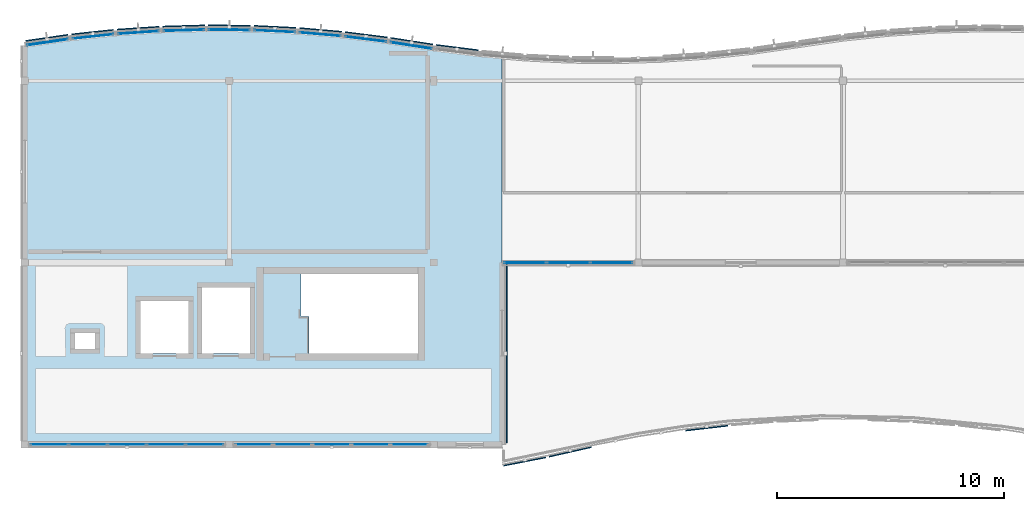
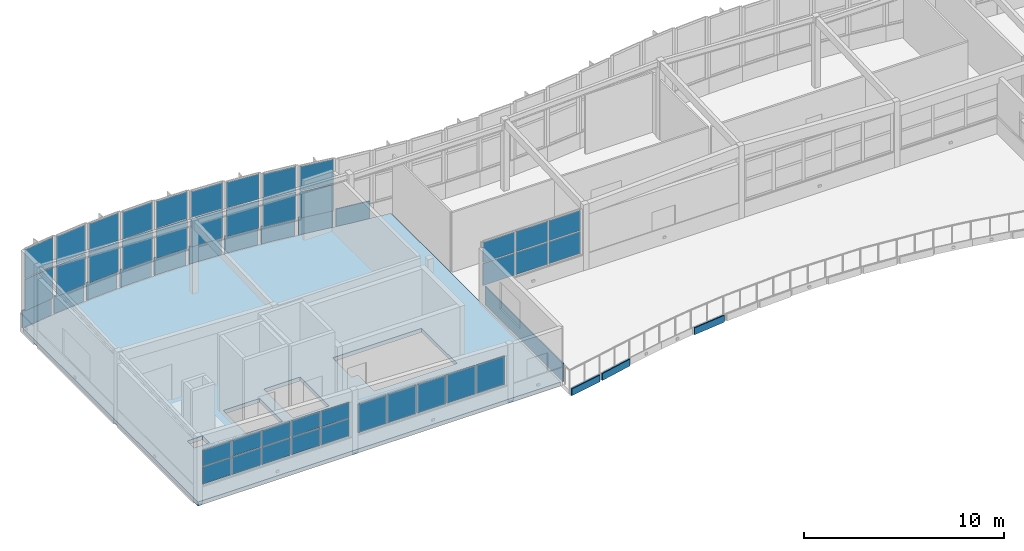
# One storey, part 10 of 20: 53 plates, 1 slab, 12 elements without a shape of their own.
"""IFC4 building model written with IfcOpenShell, lengths in metres."""

import ifcopenshell
import ifcopenshell.guid

model = None  # the IFC model being written
_history = None  # IfcOwnerHistory: only IFC2X3 demands one
_inside = {}  # id of a spatial element -> (the spatial element, [elements in it])
_under = {}  # id of a project, library or spatial element -> (it, [spatial elements below it])
_declared = {}  # id of a project -> (the project, [libraries it declares])
_typed = {}  # id of a type object -> (the type object, [elements of that type])
_made_of = {}  # id of a material, layer set ... -> (it, [elements and type objects made of it])


def new_model(schema):
    """Start an empty IFC model of exactly this schema.

    Asked for "IFC4X3", IfcOpenShell would pick the latest addendum, in which some entities
    have other attributes; the version numbers below select the first issue.
    IFC2X3 requires an IfcOwnerHistory on every rooted entity: one is made here for all.
    """
    global model, _history
    if schema == "IFC4X3":
        model = ifcopenshell.file(schema_version=(4, 3, 0, 0))
    else:
        model = ifcopenshell.file(schema=schema)
    _inside.clear()
    _under.clear()
    _declared.clear()
    _typed.clear()
    _made_of.clear()
    _history = None
    if model.schema == "IFC2X3":
        org = make("IfcOrganization", Name="unknown")
        user = make(
            "IfcPersonAndOrganization",
            ThePerson=make("IfcPerson", FamilyName="unknown"),
            TheOrganization=org,
        )
        app = make(
            "IfcApplication",
            ApplicationDeveloper=org,
            Version="unknown",
            ApplicationFullName="unknown",
            ApplicationIdentifier="unknown",
        )
        _history = make(
            "IfcOwnerHistory",
            OwningUser=user,
            OwningApplication=app,
            ChangeAction="ADDED",
            CreationDate=0,
        )
    return model


def make(cls, **values):
    """One entity of the class cls with the attributes given. An attribute that is None is left unset."""
    return model.create_entity(
        cls, **{name: value for name, value in values.items() if value is not None}
    )


def rooted(cls, **values):
    """An entity with a GlobalId (a new one), such as an element, a storey or a relation."""
    return make(cls, GlobalId=ifcopenshell.guid.new(), OwnerHistory=_history, **values)


def si_unit(unit_type, name, prefix=None):
    """IfcSIUnit, for example si_unit("LENGTHUNIT", "METRE", prefix="MILLI")."""
    return make("IfcSIUnit", UnitType=unit_type, Prefix=prefix, Name=name)


def assignment(units):
    """IfcUnitAssignment: the units of a project."""
    return None if units is None else make("IfcUnitAssignment", Units=units)


def point(xyz):
    """IfcCartesianPoint."""
    return None if xyz is None else make("IfcCartesianPoint", Coordinates=xyz)


def direction(xyz):
    """IfcDirection."""
    return None if xyz is None else make("IfcDirection", DirectionRatios=xyz)


def frame(location, z_axis=None, x_axis=None):
    """IfcAxis2Placement3D, a coordinate frame: its origin and axes. An axis left out is left unset."""
    return make(
        "IfcAxis2Placement3D",
        Location=point(location),
        Axis=direction(z_axis),
        RefDirection=direction(x_axis),
    )


def frame_2d(location, x_axis=None):
    """IfcAxis2Placement2D, a coordinate frame in the plane: its origin and x axis."""
    return make(
        "IfcAxis2Placement2D", Location=point(location), RefDirection=direction(x_axis)
    )


def origin():
    """The frame at (0, 0, 0) with its axes left unset."""
    return frame((0.0, 0.0, 0.0))


def origin_2d():
    """The frame at (0, 0) in the plane with its x axis left unset."""
    return frame_2d((0.0, 0.0))


def place(relative_to, where):
    """IfcLocalPlacement: puts the frame where relative to a parent placement (None: the world)."""
    return make(
        "IfcLocalPlacement", PlacementRelTo=relative_to, RelativePlacement=where
    )


def context(
    kind, dimensions, precision=None, world=None, true_north=None, identifier=None
):
    """IfcGeometricRepresentationContext, for example the 3D "Model" context."""
    return make(
        "IfcGeometricRepresentationContext",
        ContextIdentifier=identifier,
        ContextType=kind,
        CoordinateSpaceDimension=dimensions,
        Precision=precision,
        WorldCoordinateSystem=world,
        TrueNorth=true_north,
    )


def subcontext(parent, identifier, kind, view, scale=None):
    """IfcGeometricRepresentationSubContext, for example "Body" below "Model"."""
    return make(
        "IfcGeometricRepresentationSubContext",
        ContextIdentifier=identifier,
        ContextType=kind,
        ParentContext=parent,
        TargetScale=scale,
        TargetView=view,
    )


def project(units=None, contexts=None):
    """IfcProject with its units and contexts."""
    return rooted(
        "IfcProject",
        Name="project",
        RepresentationContexts=contexts,
        UnitsInContext=assignment(units),
    )


def spatial(cls, under=None, at=None, **own):
    """A site, building, storey or space (cls), placed at a placement, below another one or the project."""
    s = rooted(cls, ObjectPlacement=at, **own)
    if under is not None:
        _under.setdefault(under.id(), (under, []))[1].append(s)
    return s


def polyline(points):
    """IfcPolyline through the points."""
    return make("IfcPolyline", Points=[point(p) for p in points])


def profile(cls, at=None, kind="AREA", **sizes):
    """A parametric profile (cls). Its sizes go by their IFC names, for example OverallWidth=200.0."""
    return make(cls, ProfileType=kind, Position=at, **sizes)


def rectangle(**sizes):
    """IfcRectangleProfileDef."""
    return profile("IfcRectangleProfileDef", **sizes)


def outline(outer, holes=None, kind="AREA"):
    """IfcArbitraryClosedProfileDef: a profile drawn as a closed curve; with holes, ...WithVoids."""
    if holes is None:
        return make("IfcArbitraryClosedProfileDef", ProfileType=kind, OuterCurve=outer)
    return make(
        "IfcArbitraryProfileDefWithVoids",
        ProfileType=kind,
        OuterCurve=outer,
        InnerCurves=holes,
    )


def extrude(swept, where, along, depth):
    """IfcExtrudedAreaSolid: the profile swept, set in the frame where, extruded along a direction by depth."""
    return make(
        "IfcExtrudedAreaSolid",
        SweptArea=swept,
        Position=where,
        ExtrudedDirection=direction(along),
        Depth=depth,
    )


def shape(context_of_items, identifier, shape_type, items):
    """IfcShapeRepresentation: the items that make up one representation, for example the "Body"."""
    return make(
        "IfcShapeRepresentation",
        ContextOfItems=context_of_items,
        RepresentationIdentifier=identifier,
        RepresentationType=shape_type,
        Items=items,
    )


def material(Name=None, Category=None):
    """IfcMaterial."""
    return make("IfcMaterial", Name=Name, Category=Category)


def layer(
    of_material, thickness, ventilated=None, Name=None, Category=None, Priority=None
):
    """IfcMaterialLayer: one layer of a wall or slab, of a material (None: an air gap)."""
    return make(
        "IfcMaterialLayer",
        Material=of_material,
        LayerThickness=thickness,
        IsVentilated=ventilated,
        Name=Name,
        Category=Category,
        Priority=Priority,
    )


def layer_set(layers, Name=None):
    """IfcMaterialLayerSet."""
    return make("IfcMaterialLayerSet", MaterialLayers=layers, LayerSetName=Name)


def made_of(thing, what):
    """Note that an element or type object is made of a material, layer set ...; save() writes the relation."""
    if what is not None:
        _made_of.setdefault(what.id(), (what, []))[1].append(thing)
    return thing


def type_object(cls, material=None, **own):
    """A type object (cls), such as IfcWallType, which elements share."""
    return made_of(rooted(cls, **own), material)


def element(
    cls,
    number,
    at=None,
    inside=None,
    cuts=None,
    type_object=None,
    material=None,
    context=None,
    identifier="Body",
    shape_type=None,
    held_by="IfcProductDefinitionShape",
    body=None,
    shapes=None,
    **own,
):
    """One element of the class cls, such as IfcWall. Its Tag is "e" and its number.

    at: its placement. inside: the storey or other place that contains it. cuts: it is an
    opening in that element (IfcRelVoidsElement). A single representation is given by context,
    identifier, shape_type and body (its items); several are given by shapes. held_by: the class
    of the entity that holds the representations. save() writes the other relations.
    """
    e = rooted(cls, Tag="e%d" % number, ObjectPlacement=at, **own)
    if body is not None:
        shapes = [shape(context, identifier, shape_type, body)]
    if shapes is not None:
        e.Representation = make(held_by, Representations=shapes)
    if inside is not None:
        _inside.setdefault(inside.id(), (inside, []))[1].append(e)
    if cuts is not None:
        rooted(
            "IfcRelVoidsElement", RelatingBuildingElement=cuts, RelatedOpeningElement=e
        )
    if type_object is not None:
        _typed.setdefault(type_object.id(), (type_object, []))[1].append(e)
    return made_of(e, material)


def aggregate(whole, parts):
    """IfcRelAggregates: a whole, such as a stair, and the parts it consists of."""
    return rooted("IfcRelAggregates", RelatingObject=whole, RelatedObjects=parts)


def save(model, path):
    """Write the relations noted so far, then the file.

    IfcRelAggregates (storeys below a building ...), IfcRelContainedInSpatialStructure (elements
    in a storey), IfcRelDefinesByType, IfcRelAssociatesMaterial and IfcRelDeclares: one each for
    every whole, place, type object, material and project.
    """
    for whole, parts in _under.values():
        aggregate(whole, parts)
    for where, things in _inside.values():
        rooted(
            "IfcRelContainedInSpatialStructure",
            RelatedElements=things,
            RelatingStructure=where,
        )
    for kind, things in _typed.values():
        rooted("IfcRelDefinesByType", RelatedObjects=things, RelatingType=kind)
    for what, things in _made_of.values():
        rooted("IfcRelAssociatesMaterial", RelatedObjects=things, RelatingMaterial=what)
    for by, libraries in _declared.values():
        rooted("IfcRelDeclares", RelatingContext=by, RelatedDefinitions=libraries)
    model.write(path)


model = new_model("IFC4")

# Units and contexts
model_context = context("Model", 3, precision=1e-05, world=origin(), true_north=direction((0.0, 1.0)))
body_context = subcontext(model_context, "Body", "Model", "MODEL_VIEW")
ifc_project = project(units=[si_unit("LENGTHUNIT", "METRE"), si_unit("AREAUNIT", "SQUARE_METRE"), si_unit("VOLUMEUNIT", "CUBIC_METRE"), si_unit("PLANEANGLEUNIT", "RADIAN"), si_unit("MASSUNIT", "GRAM", prefix="KILO")], contexts=[model_context])

# Site, building, storey
site_placement = place(None, origin())
site = spatial("IfcSite", under=ifc_project, at=site_placement, CompositionType="ELEMENT")
building_placement = place(site_placement, origin())
building = spatial("IfcBuilding", under=site, at=building_placement, Name="Tonlespit Floodbar School", CompositionType="ELEMENT")
storey_placement = place(building_placement, frame((0.0, 0.0, 20.10009765625)))
storey = spatial("IfcBuildingStorey", under=building, at=storey_placement, Name="L05", CompositionType="ELEMENT", Elevation=20.10009765625)

# Curtain wall, plates
ifc_material_1 = material(Name="Anodised Aluminium", Category="aluminium")
ifc_layer_1 = layer(ifc_material_1, 0.159912109375)
ifc_layer_set_1 = layer_set([ifc_layer_1], Name="Anodised Aluminium")
curtain_wall_type_1 = type_object("IfcCurtainWallType", Name="CurtainWall_1950x3800", PredefinedType="NOTDEFINED", material=ifc_layer_set_1)
curtain_wall_1_placement = place(storey_placement, origin())
curtain_wall_1 = element("IfcCurtainWall", 1, at=curtain_wall_1_placement, inside=storey, type_object=curtain_wall_type_1, Name="L05 unitised curtain wall 0209", PredefinedType="NOTDEFINED")
ifc_material_2 = material(Name="Laminated Low-E Glass", Category="glass")
ifc_layer_2 = layer(ifc_material_2, 0.028076171875)
ifc_layer_set_2 = layer_set([ifc_layer_2], Name="Laminated Low-E Glass")
plate_type_1 = type_object("IfcPlateType", Name="CW_Panel_Glaz_28", PredefinedType="CURTAIN_PANEL", material=ifc_layer_set_2)
plate_1_placement = place(storey_placement, frame((47.0, 121.947998046875, 1.014892578125), z_axis=(0.0, 0.0, 1.0), x_axis=(0.994388797288, 0.105787143968, 0.0)))
plate_1 = element("IfcPlate", 2, at=plate_1_placement, type_object=plate_type_1, Name="CW-10 panel 1.1", PredefinedType="CURTAIN_PANEL", context=body_context, shape_type="SweptSolid", body=[
    extrude(rectangle(XDim=1.80126953125, YDim=0.028076171875, at=origin_2d()), origin(), (0.0, 0.0, 1.0), 1.88330078125),
])
plate_2_placement = place(storey_placement, frame((47.0, 121.947998046875, 2.96337890625), z_axis=(0.0, 0.0, 1.0), x_axis=(0.994388797288, 0.105787143968, 0.0)))
plate_2 = element("IfcPlate", 3, at=plate_2_placement, type_object=plate_type_1, Name="CW-10 panel 1.2", PredefinedType="CURTAIN_PANEL", context=body_context, shape_type="SweptSolid", body=[
    extrude(rectangle(XDim=1.80126953125, YDim=0.028076171875, at=origin_2d()), origin(), (0.0, 0.0, 1.0), 1.730712890625),
])
aggregate(curtain_wall_1, [plate_1, plate_2])

ifc_layer_3 = layer(ifc_material_1, 0.159912109375)
ifc_layer_set_3 = layer_set([ifc_layer_3], Name="Anodised Aluminium")
curtain_wall_type_2 = type_object("IfcCurtainWallType", Name="CurtainWall_1900x3550", PredefinedType="NOTDEFINED", material=ifc_layer_set_3)
curtain_wall_2_placement = place(storey_placement, origin())
curtain_wall_2 = element("IfcCurtainWall", 4, at=curtain_wall_2_placement, inside=storey, type_object=curtain_wall_type_2, Name="L05 unitised curtain wall 0213", PredefinedType="NOTDEFINED")
plate_3_placement = place(storey_placement, frame((55.0, 122.1796875, 1.01513671875), z_axis=(0.0, 0.0, 1.0), x_axis=(0.998841500616, -0.048121270216, 0.0)))
plate_3 = element("IfcPlate", 5, at=plate_3_placement, type_object=plate_type_1, Name="CW-14 panel 1.1", PredefinedType="CURTAIN_PANEL", context=body_context, shape_type="SweptSolid", body=[
    extrude(rectangle(XDim=1.792236328125, YDim=0.028076171875, at=origin_2d()), origin(), (0.0, 0.0, 1.0), 1.736083984375),
])
plate_4_placement = place(storey_placement, frame((55.0, 122.1796875, 2.81591796875), z_axis=(0.0, 0.0, 1.0), x_axis=(0.998841500616, -0.048121270216, 0.0)))
plate_4 = element("IfcPlate", 6, at=plate_4_placement, type_object=plate_type_1, Name="CW-14 panel 1.2", PredefinedType="CURTAIN_PANEL", context=body_context, shape_type="SweptSolid", body=[
    extrude(rectangle(XDim=1.792236328125, YDim=0.028076171875, at=origin_2d()), origin(), (0.0, 0.0, 1.0), 1.594970703125),
])
aggregate(curtain_wall_2, [plate_3, plate_4])

ifc_layer_4 = layer(ifc_material_1, 0.159912109375)
ifc_layer_set_4 = layer_set([ifc_layer_4], Name="Anodised Aluminium")
curtain_wall_type_3 = type_object("IfcCurtainWallType", Name="CurtainWall_8600x1850", PredefinedType="NOTDEFINED", material=ifc_layer_set_4)
curtain_wall_3_placement = place(storey_placement, origin())
curtain_wall_3 = element("IfcCurtainWall", 7, at=curtain_wall_3_placement, inside=storey, type_object=curtain_wall_type_3, Name="L05 unitised curtain wall 0249", PredefinedType="NOTDEFINED")
plate_5_placement = place(storey_placement, frame((60.923828125, 104.0, 1.01513671875), z_axis=(0.0, 0.0, 1.0), x_axis=(-1.0, 0.0, 0.0)))
plate_5 = element("IfcPlate", 8, at=plate_5_placement, type_object=plate_type_1, Name="CW-29 panel 1.1", PredefinedType="CURTAIN_PANEL", context=body_context, shape_type="SweptSolid", body=[
    extrude(rectangle(XDim=1.62255859375, YDim=0.028076171875, at=origin_2d()), origin(), (0.0, 0.0, 1.0), 1.734619140625),
])
plate_6_placement = place(storey_placement, frame((59.219970703125, 104.0, 1.01513671875), z_axis=(0.0, 0.0, 1.0), x_axis=(-1.0, 0.0, 0.0)))
plate_6 = element("IfcPlate", 9, at=plate_6_placement, type_object=plate_type_1, Name="CW-29 panel 2.1", PredefinedType="CURTAIN_PANEL", context=body_context, shape_type="SweptSolid", body=[
    extrude(rectangle(XDim=1.655029296875, YDim=0.028076171875, at=origin_2d()), origin(), (0.0, 0.0, 1.0), 1.734619140625),
])
plate_7_placement = place(storey_placement, frame((57.5, 104.0, 1.01513671875), z_axis=(0.0, 0.0, 1.0), x_axis=(-1.0, 0.0, 0.0)))
plate_7 = element("IfcPlate", 10, at=plate_7_placement, type_object=plate_type_1, Name="CW-29 panel 3.1", PredefinedType="CURTAIN_PANEL", context=body_context, shape_type="SweptSolid", body=[
    extrude(rectangle(XDim=1.655029296875, YDim=0.028076171875, at=origin_2d()), origin(), (0.0, 0.0, 1.0), 1.734619140625),
])
plate_8_placement = place(storey_placement, frame((55.780029296875, 104.0, 1.01513671875), z_axis=(0.0, 0.0, 1.0), x_axis=(-1.0, 0.0, 0.0)))
plate_8 = element("IfcPlate", 11, at=plate_8_placement, type_object=plate_type_1, Name="CW-29 panel 4.1", PredefinedType="CURTAIN_PANEL", context=body_context, shape_type="SweptSolid", body=[
    extrude(rectangle(XDim=1.655029296875, YDim=0.028076171875, at=origin_2d()), origin(), (0.0, 0.0, 1.0), 1.734619140625),
])
plate_9_placement = place(storey_placement, frame((54.076171875, 104.0, 1.01513671875), z_axis=(0.0, 0.0, 1.0), x_axis=(-1.0, 0.0, 0.0)))
plate_9 = element("IfcPlate", 12, at=plate_9_placement, type_object=plate_type_1, Name="CW-29 panel 5.1", PredefinedType="CURTAIN_PANEL", context=body_context, shape_type="SweptSolid", body=[
    extrude(rectangle(XDim=1.62255859375, YDim=0.028076171875, at=origin_2d()), origin(), (0.0, 0.0, 1.0), 1.734619140625),
])
aggregate(curtain_wall_3, [plate_5, plate_6, plate_7, plate_8, plate_9])

ifc_layer_5 = layer(ifc_material_1, 0.159912109375)
ifc_layer_set_5 = layer_set([ifc_layer_5], Name="Anodised Aluminium")
curtain_wall_type_4 = type_object("IfcCurtainWallType", Name="CurtainWall_1900x3750", PredefinedType="NOTDEFINED", material=ifc_layer_set_5)
curtain_wall_4_placement = place(storey_placement, origin())
curtain_wall_4 = element("IfcCurtainWall", 13, at=curtain_wall_4_placement, inside=storey, type_object=curtain_wall_type_4, Name="L05 unitised curtain wall 0210", PredefinedType="NOTDEFINED")
ifc_layer_6 = layer(ifc_material_2, 0.031982421875)
ifc_layer_set_6 = layer_set([ifc_layer_6], Name="Laminated Low-E Glass")
plate_type_2 = type_object("IfcPlateType", Name="CW_Panel_Glaz_32", PredefinedType="CURTAIN_PANEL", material=ifc_layer_set_6)
plate_10_placement = place(storey_placement, frame((49.0, 122.121826171875, 1.014892578125), z_axis=(0.0, 0.0, 1.0), x_axis=(0.99773010165, 0.067339767311, 0.0)))
plate_10 = element("IfcPlate", 14, at=plate_10_placement, type_object=plate_type_2, Name="CW-11 panel 1.1", PredefinedType="CURTAIN_PANEL", context=body_context, shape_type="SweptSolid", body=[
    extrude(rectangle(XDim=1.794677734375, YDim=0.031982421875, at=origin_2d()), origin(), (0.0, 0.0, 1.0), 1.84912109375),
])
plate_11_placement = place(storey_placement, frame((49.0, 122.121826171875, 2.928955078125), z_axis=(0.0, 0.0, 1.0), x_axis=(0.99773010165, 0.067339767311, 0.0)))
plate_11 = element("IfcPlate", 15, at=plate_11_placement, type_object=plate_type_2, Name="CW-11 panel 1.2", PredefinedType="CURTAIN_PANEL", context=body_context, shape_type="SweptSolid", body=[
    extrude(rectangle(XDim=1.794677734375, YDim=0.031982421875, at=origin_2d()), origin(), (0.0, 0.0, 1.0), 1.69921875),
])
aggregate(curtain_wall_4, [plate_10, plate_11])

ifc_layer_7 = layer(ifc_material_1, 0.159912109375)
ifc_layer_set_7 = layer_set([ifc_layer_7], Name="Anodised Aluminium")
curtain_wall_type_5 = type_object("IfcCurtainWallType", Name="CurtainWall_1950x3450", PredefinedType="NOTDEFINED", material=ifc_layer_set_7)
curtain_wall_5_placement = place(storey_placement, origin())
curtain_wall_5 = element("IfcCurtainWall", 16, at=curtain_wall_5_placement, inside=storey, type_object=curtain_wall_type_5, Name="L05 unitised curtain wall 0214", PredefinedType="NOTDEFINED")
plate_12_placement = place(storey_placement, frame((57.0, 122.044677734375, 1.0146484375), z_axis=(0.0, 0.0, 1.0), x_axis=(0.996249148412, -0.086531117454, 0.0)))
plate_12 = element("IfcPlate", 17, at=plate_12_placement, type_object=plate_type_2, Name="CW-15 panel 1.1", PredefinedType="CURTAIN_PANEL", context=body_context, shape_type="SweptSolid", body=[
    extrude(rectangle(XDim=1.797607421875, YDim=0.031982421875, at=origin_2d()), origin(), (0.0, 0.0, 1.0), 1.695068359375),
])
plate_13_placement = place(storey_placement, frame((57.0, 122.044677734375, 2.77490234375), z_axis=(0.0, 0.0, 1.0), x_axis=(0.996249148412, -0.086531117454, 0.0)))
plate_13 = element("IfcPlate", 18, at=plate_13_placement, type_object=plate_type_2, Name="CW-15 panel 1.2", PredefinedType="CURTAIN_PANEL", context=body_context, shape_type="SweptSolid", body=[
    extrude(rectangle(XDim=1.797607421875, YDim=0.031982421875, at=origin_2d()), origin(), (0.0, 0.0, 1.0), 1.55712890625),
])
aggregate(curtain_wall_5, [plate_12, plate_13])

ifc_layer_8 = layer(ifc_material_1, 0.159912109375)
ifc_layer_set_8 = layer_set([ifc_layer_8], Name="Anodised Aluminium")
curtain_wall_type_6 = type_object("IfcCurtainWallType", Name="CurtainWall_8600x2200", PredefinedType="NOTDEFINED", material=ifc_layer_set_8)
curtain_wall_6_placement = place(storey_placement, origin())
curtain_wall_6 = element("IfcCurtainWall", 19, at=curtain_wall_6_placement, inside=storey, type_object=curtain_wall_type_6, Name="L05 unitised curtain wall 0250", PredefinedType="NOTDEFINED")
plate_14_placement = place(storey_placement, frame((51.923828125, 104.0, 1.014892578125), z_axis=(0.0, 0.0, 1.0), x_axis=(-1.0, 0.0, 0.0)))
plate_14 = element("IfcPlate", 20, at=plate_14_placement, type_object=plate_type_2, Name="CW-28 panel 1.1", PredefinedType="CURTAIN_PANEL", context=body_context, shape_type="SweptSolid", body=[
    extrude(rectangle(XDim=1.62255859375, YDim=0.031982421875, at=origin_2d()), origin(), (0.0, 0.0, 1.0), 1.03955078125),
])
plate_15_placement = place(storey_placement, frame((51.923828125, 104.0, 2.119384765625), z_axis=(0.0, 0.0, 1.0), x_axis=(-1.0, 0.0, 0.0)))
plate_15 = element("IfcPlate", 21, at=plate_15_placement, type_object=plate_type_2, Name="CW-28 panel 1.2", PredefinedType="CURTAIN_PANEL", context=body_context, shape_type="SweptSolid", body=[
    extrude(rectangle(XDim=1.62255859375, YDim=0.031982421875, at=origin_2d()), origin(), (0.0, 0.0, 1.0), 0.9521484375),
])
plate_16_placement = place(storey_placement, frame((50.219970703125, 104.0, 1.014892578125), z_axis=(0.0, 0.0, 1.0), x_axis=(-1.0, 0.0, 0.0)))
plate_16 = element("IfcPlate", 22, at=plate_16_placement, type_object=plate_type_2, Name="CW-28 panel 2.1", PredefinedType="CURTAIN_PANEL", context=body_context, shape_type="SweptSolid", body=[
    extrude(rectangle(XDim=1.655029296875, YDim=0.031982421875, at=origin_2d()), origin(), (0.0, 0.0, 1.0), 1.03955078125),
])
plate_17_placement = place(storey_placement, frame((50.219970703125, 104.0, 2.119384765625), z_axis=(0.0, 0.0, 1.0), x_axis=(-1.0, 0.0, 0.0)))
plate_17 = element("IfcPlate", 23, at=plate_17_placement, type_object=plate_type_2, Name="CW-28 panel 2.2", PredefinedType="CURTAIN_PANEL", context=body_context, shape_type="SweptSolid", body=[
    extrude(rectangle(XDim=1.655029296875, YDim=0.031982421875, at=origin_2d()), origin(), (0.0, 0.0, 1.0), 0.9521484375),
])
plate_18_placement = place(storey_placement, frame((48.5, 104.0, 1.014892578125), z_axis=(0.0, 0.0, 1.0), x_axis=(-1.0, 0.0, 0.0)))
plate_18 = element("IfcPlate", 24, at=plate_18_placement, type_object=plate_type_2, Name="CW-28 panel 3.1", PredefinedType="CURTAIN_PANEL", context=body_context, shape_type="SweptSolid", body=[
    extrude(rectangle(XDim=1.655029296875, YDim=0.031982421875, at=origin_2d()), origin(), (0.0, 0.0, 1.0), 1.03955078125),
])
plate_19_placement = place(storey_placement, frame((48.5, 104.0, 2.119384765625), z_axis=(0.0, 0.0, 1.0), x_axis=(-1.0, 0.0, 0.0)))
plate_19 = element("IfcPlate", 25, at=plate_19_placement, type_object=plate_type_2, Name="CW-28 panel 3.2", PredefinedType="CURTAIN_PANEL", context=body_context, shape_type="SweptSolid", body=[
    extrude(rectangle(XDim=1.655029296875, YDim=0.031982421875, at=origin_2d()), origin(), (0.0, 0.0, 1.0), 0.9521484375),
])
plate_20_placement = place(storey_placement, frame((46.780029296875, 104.0, 1.014892578125), z_axis=(0.0, 0.0, 1.0), x_axis=(-1.0, 0.0, 0.0)))
plate_20 = element("IfcPlate", 26, at=plate_20_placement, type_object=plate_type_2, Name="CW-28 panel 4.1", PredefinedType="CURTAIN_PANEL", context=body_context, shape_type="SweptSolid", body=[
    extrude(rectangle(XDim=1.655029296875, YDim=0.031982421875, at=origin_2d()), origin(), (0.0, 0.0, 1.0), 1.03955078125),
])
plate_21_placement = place(storey_placement, frame((46.780029296875, 104.0, 2.119384765625), z_axis=(0.0, 0.0, 1.0), x_axis=(-1.0, 0.0, 0.0)))
plate_21 = element("IfcPlate", 27, at=plate_21_placement, type_object=plate_type_2, Name="CW-28 panel 4.2", PredefinedType="CURTAIN_PANEL", context=body_context, shape_type="SweptSolid", body=[
    extrude(rectangle(XDim=1.655029296875, YDim=0.031982421875, at=origin_2d()), origin(), (0.0, 0.0, 1.0), 0.9521484375),
])
plate_22_placement = place(storey_placement, frame((45.076171875, 104.0, 1.014892578125), z_axis=(0.0, 0.0, 1.0), x_axis=(-1.0, 0.0, 0.0)))
plate_22 = element("IfcPlate", 28, at=plate_22_placement, type_object=plate_type_2, Name="CW-28 panel 5.1", PredefinedType="CURTAIN_PANEL", context=body_context, shape_type="SweptSolid", body=[
    extrude(rectangle(XDim=1.62255859375, YDim=0.031982421875, at=origin_2d()), origin(), (0.0, 0.0, 1.0), 1.03955078125),
])
plate_23_placement = place(storey_placement, frame((45.076171875, 104.0, 2.119384765625), z_axis=(0.0, 0.0, 1.0), x_axis=(-1.0, 0.0, 0.0)))
plate_23 = element("IfcPlate", 29, at=plate_23_placement, type_object=plate_type_2, Name="CW-28 panel 5.2", PredefinedType="CURTAIN_PANEL", context=body_context, shape_type="SweptSolid", body=[
    extrude(rectangle(XDim=1.62255859375, YDim=0.031982421875, at=origin_2d()), origin(), (0.0, 0.0, 1.0), 0.9521484375),
])
aggregate(curtain_wall_6, [plate_14, plate_15, plate_16, plate_17, plate_18, plate_19, plate_20, plate_21, plate_22, plate_23])

ifc_layer_9 = layer(ifc_material_1, 0.159912109375)
ifc_layer_set_9 = layer_set([ifc_layer_9], Name="Anodised Aluminium")
curtain_wall_type_7 = type_object("IfcCurtainWallType", Name="CurtainWall_1900x3650", PredefinedType="NOTDEFINED", material=ifc_layer_set_9)
curtain_wall_7_placement = place(storey_placement, origin())
curtain_wall_7 = element("IfcCurtainWall", 30, at=curtain_wall_7_placement, inside=storey, type_object=curtain_wall_type_7, Name="L05 unitised curtain wall 0211", PredefinedType="NOTDEFINED")
ifc_layer_10 = layer(ifc_material_2, 0.035888671875)
ifc_layer_set_10 = layer_set([ifc_layer_10], Name="Laminated Low-E Glass")
plate_type_3 = type_object("IfcPlateType", Name="CW_Panel_Glaz_36", PredefinedType="CURTAIN_PANEL", material=ifc_layer_set_10)
plate_24_placement = place(storey_placement, frame((51.0, 122.21826171875, 1.014892578125), z_axis=(0.0, 0.0, 1.0), x_axis=(0.999585477883, 0.028790144226, 0.0)))
plate_24 = element("IfcPlate", 31, at=plate_24_placement, type_object=plate_type_3, Name="CW-12 panel 1.1", PredefinedType="CURTAIN_PANEL", context=body_context, shape_type="SweptSolid", body=[
    extrude(rectangle(XDim=1.790771484375, YDim=0.035888671875, at=origin_2d()), origin(), (0.0, 0.0, 1.0), 1.81298828125),
])
plate_25_placement = place(storey_placement, frame((51.0, 122.21826171875, 2.89306640625), z_axis=(0.0, 0.0, 1.0), x_axis=(0.999585477883, 0.028790144226, 0.0)))
plate_25 = element("IfcPlate", 32, at=plate_25_placement, type_object=plate_type_3, Name="CW-12 panel 1.2", PredefinedType="CURTAIN_PANEL", context=body_context, shape_type="SweptSolid", body=[
    extrude(rectangle(XDim=1.790771484375, YDim=0.035888671875, at=origin_2d()), origin(), (0.0, 0.0, 1.0), 1.666015625),
])
aggregate(curtain_wall_7, [plate_24, plate_25])

ifc_layer_11 = layer(ifc_material_1, 0.159912109375)
ifc_layer_set_11 = layer_set([ifc_layer_11], Name="Anodised Aluminium")
curtain_wall_type_8 = type_object("IfcCurtainWallType", Name="CurtainWall_1950x3350", PredefinedType="NOTDEFINED", material=ifc_layer_set_11)
curtain_wall_8_placement = place(storey_placement, origin())
curtain_wall_8 = element("IfcCurtainWall", 33, at=curtain_wall_8_placement, inside=storey, type_object=curtain_wall_type_8, Name="L05 unitised curtain wall 0215", PredefinedType="NOTDEFINED")
plate_26_placement = place(storey_placement, frame((59.0, 121.831787109375, 1.01513671875), z_axis=(0.0, 0.0, 1.0), x_axis=(0.992155002499, -0.125013803299, 0.0)))
plate_26 = element("IfcPlate", 34, at=plate_26_placement, type_object=plate_type_3, Name="CW-16 panel 1.1", PredefinedType="CURTAIN_PANEL", context=body_context, shape_type="SweptSolid", body=[
    extrude(rectangle(XDim=1.805908203125, YDim=0.035888671875, at=origin_2d()), origin(), (0.0, 0.0, 1.0), 1.652099609375),
])
plate_27_placement = place(storey_placement, frame((59.0, 121.831787109375, 2.73193359375), z_axis=(0.0, 0.0, 1.0), x_axis=(0.992155002499, -0.125013803299, 0.0)))
plate_27 = element("IfcPlate", 35, at=plate_27_placement, type_object=plate_type_3, Name="CW-16 panel 1.2", PredefinedType="CURTAIN_PANEL", context=body_context, shape_type="SweptSolid", body=[
    extrude(rectangle(XDim=1.805908203125, YDim=0.035888671875, at=origin_2d()), origin(), (0.0, 0.0, 1.0), 1.517578125),
])
aggregate(curtain_wall_8, [plate_26, plate_27])

ifc_layer_12 = layer(ifc_material_1, 0.159912109375)
ifc_layer_set_12 = layer_set([ifc_layer_12], Name="Anodised Aluminium")
curtain_wall_type_9 = type_object("IfcCurtainWallType", Name="CurtainWall_1950x3850", PredefinedType="NOTDEFINED", material=ifc_layer_set_12)
curtain_wall_9_placement = place(storey_placement, origin())
curtain_wall_9 = element("IfcCurtainWall", 36, at=curtain_wall_9_placement, inside=storey, type_object=curtain_wall_type_9, Name="L05 unitised curtain wall 0208", PredefinedType="NOTDEFINED")
ifc_layer_13 = layer(ifc_material_2, 0.0419921875)
ifc_layer_set_13 = layer_set([ifc_layer_13], Name="Laminated Low-E Glass")
plate_type_4 = type_object("IfcPlateType", Name="CW_Panel_Glaz_42", PredefinedType="CURTAIN_PANEL", material=ifc_layer_set_13)
plate_28_placement = place(storey_placement, frame((45.0, 121.69580078125, 1.014892578125), z_axis=(0.0, 0.0, 1.0), x_axis=(0.989541561858, 0.144248041079, 0.0)))
plate_28 = element("IfcPlate", 37, at=plate_28_placement, type_object=plate_type_4, Name="CW-09 panel 1.1", PredefinedType="CURTAIN_PANEL", context=body_context, shape_type="SweptSolid", body=[
    extrude(rectangle(XDim=1.81103515625, YDim=0.0419921875, at=origin_2d()), origin(), (0.0, 0.0, 1.0), 1.91552734375),
])
plate_29_placement = place(storey_placement, frame((45.0, 121.69580078125, 2.99560546875), z_axis=(0.0, 0.0, 1.0), x_axis=(0.989541561858, 0.144248041079, 0.0)))
plate_29 = element("IfcPlate", 38, at=plate_29_placement, type_object=plate_type_4, Name="CW-09 panel 1.2", PredefinedType="CURTAIN_PANEL", context=body_context, shape_type="SweptSolid", body=[
    extrude(rectangle(XDim=1.81103515625, YDim=0.0419921875, at=origin_2d()), origin(), (0.0, 0.0, 1.0), 1.7607421875),
])
aggregate(curtain_wall_9, [plate_28, plate_29])

ifc_layer_14 = layer(ifc_material_1, 0.159912109375)
ifc_layer_set_14 = layer_set([ifc_layer_14], Name="Anodised Aluminium")
curtain_wall_type_10 = type_object("IfcCurtainWallType", Name="CurtainWall_1900x3600", PredefinedType="NOTDEFINED", material=ifc_layer_set_14)
curtain_wall_10_placement = place(storey_placement, origin())
curtain_wall_10 = element("IfcCurtainWall", 39, at=curtain_wall_10_placement, inside=storey, type_object=curtain_wall_type_10, Name="L05 unitised curtain wall 0212", PredefinedType="NOTDEFINED")
plate_30_placement = place(storey_placement, frame((53.0, 122.2373046875, 1.014892578125), z_axis=(0.0, 0.0, 1.0), x_axis=(0.999954083024, -0.009582893292, 0.0)))
plate_30 = element("IfcPlate", 40, at=plate_30_placement, type_object=plate_type_4, Name="CW-13 panel 1.1", PredefinedType="CURTAIN_PANEL", context=body_context, shape_type="SweptSolid", body=[
    extrude(rectangle(XDim=1.7900390625, YDim=0.0419921875, at=origin_2d()), origin(), (0.0, 0.0, 1.0), 1.775390625),
])
plate_31_placement = place(storey_placement, frame((53.0, 122.2373046875, 2.855224609375), z_axis=(0.0, 0.0, 1.0), x_axis=(0.999954083024, -0.009582893292, 0.0)))
plate_31 = element("IfcPlate", 41, at=plate_31_placement, type_object=plate_type_4, Name="CW-13 panel 1.2", PredefinedType="CURTAIN_PANEL", context=body_context, shape_type="SweptSolid", body=[
    extrude(rectangle(XDim=1.7900390625, YDim=0.0419921875, at=origin_2d()), origin(), (0.0, 0.0, 1.0), 1.63134765625),
])
aggregate(curtain_wall_10, [plate_30, plate_31])

ifc_layer_15 = layer(ifc_material_1, 0.159912109375)
ifc_layer_set_15 = layer_set([ifc_layer_15], Name="Anodised Aluminium")
curtain_wall_type_11 = type_object("IfcCurtainWallType", Name="CurtainWall_1950x3300", PredefinedType="NOTDEFINED", material=ifc_layer_set_15)
curtain_wall_11_placement = place(storey_placement, origin())
curtain_wall_11 = element("IfcCurtainWall", 42, at=curtain_wall_11_placement, inside=storey, type_object=curtain_wall_type_11, Name="L05 unitised curtain wall 0216", PredefinedType="NOTDEFINED")
plate_32_placement = place(storey_placement, frame((61.0, 121.550048828125, 1.014892578125), z_axis=(0.0, 0.0, 1.0), x_axis=(0.988102576465, -0.153796288585, 0.0)))
plate_32 = element("IfcPlate", 43, at=plate_32_placement, type_object=plate_type_4, Name="CW-01 panel 1.1", PredefinedType="CURTAIN_PANEL", context=body_context, shape_type="SweptSolid", body=[
    extrude(rectangle(XDim=1.814208984375, YDim=0.0419921875, at=origin_2d()), origin(), (0.0, 0.0, 1.0), 1.60791015625),
])
plate_33_placement = place(storey_placement, frame((61.0, 121.550048828125, 2.68798828125), z_axis=(0.0, 0.0, 1.0), x_axis=(0.988102576465, -0.153796288585, 0.0)))
plate_33 = element("IfcPlate", 44, at=plate_33_placement, type_object=plate_type_4, Name="CW-01 panel 1.2", PredefinedType="CURTAIN_PANEL", context=body_context, shape_type="SweptSolid", body=[
    extrude(rectangle(XDim=1.814208984375, YDim=0.0419921875, at=origin_2d()), origin(), (0.0, 0.0, 1.0), 1.476806640625),
])
aggregate(curtain_wall_11, [plate_32, plate_33])

ifc_layer_16 = layer(ifc_material_1, 0.159912109375)
ifc_layer_set_16 = layer_set([ifc_layer_16], Name="Anodised Aluminium")
curtain_wall_type_12 = type_object("IfcCurtainWallType", Name="CurtainWall_5750x2750", PredefinedType="NOTDEFINED", material=ifc_layer_set_16)
curtain_wall_12_placement = place(storey_placement, origin())
curtain_wall_12 = element("IfcCurtainWall", 45, at=curtain_wall_12_placement, inside=storey, type_object=curtain_wall_type_12, Name="L05 unitised curtain wall 0248", PredefinedType="NOTDEFINED")
plate_34_placement = place(storey_placement, frame((69.82373046875, 112.0, 1.014892578125), z_axis=(0.0, 0.0, 1.0), x_axis=(-1.0, 0.0, 0.0)))
plate_34 = element("IfcPlate", 46, at=plate_34_placement, type_object=plate_type_4, Name="CW-32 panel 1.1", PredefinedType="CURTAIN_PANEL", context=body_context, shape_type="SweptSolid", body=[
    extrude(rectangle(XDim=1.822509765625, YDim=0.0419921875, at=origin_2d()), origin(), (0.0, 0.0, 1.0), 1.34130859375),
])
plate_35_placement = place(storey_placement, frame((69.82373046875, 112.0, 2.4208984375), z_axis=(0.0, 0.0, 1.0), x_axis=(-1.0, 0.0, 0.0)))
plate_35 = element("IfcPlate", 47, at=plate_35_placement, type_object=plate_type_4, Name="CW-32 panel 1.2", PredefinedType="CURTAIN_PANEL", context=body_context, shape_type="SweptSolid", body=[
    extrude(rectangle(XDim=1.822509765625, YDim=0.0419921875, at=origin_2d()), origin(), (0.0, 0.0, 1.0), 1.230712890625),
])
plate_36_placement = place(storey_placement, frame((67.919921875, 112.0, 1.014892578125), z_axis=(0.0, 0.0, 1.0), x_axis=(-1.0, 0.0, 0.0)))
plate_36 = element("IfcPlate", 48, at=plate_36_placement, type_object=plate_type_4, Name="CW-32 panel 2.1", PredefinedType="CURTAIN_PANEL", context=body_context, shape_type="SweptSolid", body=[
    extrude(rectangle(XDim=1.85498046875, YDim=0.0419921875, at=origin_2d()), origin(), (0.0, 0.0, 1.0), 1.34130859375),
])
plate_37_placement = place(storey_placement, frame((67.919921875, 112.0, 2.4208984375), z_axis=(0.0, 0.0, 1.0), x_axis=(-1.0, 0.0, 0.0)))
plate_37 = element("IfcPlate", 49, at=plate_37_placement, type_object=plate_type_4, Name="CW-32 panel 2.2", PredefinedType="CURTAIN_PANEL", context=body_context, shape_type="SweptSolid", body=[
    extrude(rectangle(XDim=1.85498046875, YDim=0.0419921875, at=origin_2d()), origin(), (0.0, 0.0, 1.0), 1.230712890625),
])
plate_38_placement = place(storey_placement, frame((66.016357421875, 112.0, 1.014892578125), z_axis=(0.0, 0.0, 1.0), x_axis=(-1.0, 0.0, 0.0)))
plate_38 = element("IfcPlate", 50, at=plate_38_placement, type_object=plate_type_4, Name="CW-32 panel 3.1", PredefinedType="CURTAIN_PANEL", context=body_context, shape_type="SweptSolid", body=[
    extrude(rectangle(XDim=1.822509765625, YDim=0.0419921875, at=origin_2d()), origin(), (0.0, 0.0, 1.0), 1.34130859375),
])
plate_39_placement = place(storey_placement, frame((66.016357421875, 112.0, 2.4208984375), z_axis=(0.0, 0.0, 1.0), x_axis=(-1.0, 0.0, 0.0)))
plate_39 = element("IfcPlate", 51, at=plate_39_placement, type_object=plate_type_4, Name="CW-32 panel 3.2", PredefinedType="CURTAIN_PANEL", context=body_context, shape_type="SweptSolid", body=[
    extrude(rectangle(XDim=1.822509765625, YDim=0.0419921875, at=origin_2d()), origin(), (0.0, 0.0, 1.0), 1.230712890625),
])
aggregate(curtain_wall_12, [plate_34, plate_35, plate_36, plate_37, plate_38, plate_39])

# Plates
ifc_material_3 = material(Name="White Architectural Aluminium", Category="aluminium")
ifc_layer_17 = layer(ifc_material_3, 0.06494140625)
ifc_layer_set_17 = layer_set([ifc_layer_17], Name="White Architectural Aluminium")
plate_type_5 = type_object("IfcPlateType", Name="FacadeRibbon_White_65", PredefinedType="SHEET", material=ifc_layer_set_17)
plate_40_placement = place(storey_placement, frame((44.9736328125, 121.8759765625, -0.1201171875), z_axis=(0.0, 0.0, 1.0), x_axis=(0.989537627347, 0.144275029245, 0.0)))
element("IfcPlate", 52, at=plate_40_placement, inside=storey, type_object=plate_type_5, Name="L05 flowing white street spandrel ribbon 0380", PredefinedType="SHEET", context=body_context, shape_type="SweptSolid", body=[
    extrude(rectangle(XDim=1.861083984375, YDim=0.06494140625, at=origin_2d()), origin(), (0.0, 0.0, 1.0), 1.070068359375),
])
plate_41_placement = place(storey_placement, frame((46.980712890625, 122.12890625, -0.1201171875), z_axis=(0.0, 0.0, 1.0), x_axis=(0.99439234017, 0.105753835922, 0.0)))
element("IfcPlate", 53, at=plate_41_placement, inside=storey, type_object=plate_type_5, Name="L05 flowing white street spandrel ribbon 0382", PredefinedType="SHEET", context=body_context, shape_type="SweptSolid", body=[
    extrude(rectangle(XDim=1.851318359375, YDim=0.06494140625, at=origin_2d()), origin(), (0.0, 0.0, 1.0), 1.070068359375),
])
plate_42_placement = place(storey_placement, frame((48.98779296875, 122.303466796875, -0.1201171875), z_axis=(0.0, 0.0, 1.0), x_axis=(0.997729639049, 0.067346621018, 0.0)))
element("IfcPlate", 54, at=plate_42_placement, inside=storey, type_object=plate_type_5, Name="L05 flowing white street spandrel ribbon 0384", PredefinedType="SHEET", context=body_context, shape_type="SweptSolid", body=[
    extrude(rectangle(XDim=1.844482421875, YDim=0.06494140625, at=origin_2d()), origin(), (0.0, 0.0, 1.0), 1.070068359375),
])
plate_43_placement = place(storey_placement, frame((50.994873046875, 122.400146484375, -0.1201171875), z_axis=(0.0, 0.0, 1.0), x_axis=(0.999584110869, 0.02883756748, 0.0)))
element("IfcPlate", 55, at=plate_43_placement, inside=storey, type_object=plate_type_5, Name="L05 flowing white street spandrel ribbon 0386", PredefinedType="SHEET", context=body_context, shape_type="SweptSolid", body=[
    extrude(rectangle(XDim=1.8408203125, YDim=0.06494140625, at=origin_2d()), origin(), (0.0, 0.0, 1.0), 1.070068359375),
])
plate_44_placement = place(storey_placement, frame((53.001708984375, 122.41943359375, -0.1201171875), z_axis=(0.0, 0.0, 1.0), x_axis=(0.999953926969, -0.009599163462, 0.0)))
element("IfcPlate", 56, at=plate_44_placement, inside=storey, type_object=plate_type_5, Name="L05 flowing white street spandrel ribbon 0388", PredefinedType="SHEET", context=body_context, shape_type="SweptSolid", body=[
    extrude(rectangle(XDim=1.840087890625, YDim=0.06494140625, at=origin_2d()), origin(), (0.0, 0.0, 1.0), 1.070068359375),
])
plate_45_placement = place(storey_placement, frame((55.0087890625, 122.361328125, -0.1201171875), z_axis=(0.0, 0.0, 1.0), x_axis=(0.998842769234, -0.048094930587, 0.0)))
element("IfcPlate", 57, at=plate_45_placement, inside=storey, type_object=plate_type_5, Name="L05 flowing white street spandrel ribbon 0390", PredefinedType="SHEET", context=body_context, shape_type="SweptSolid", body=[
    extrude(rectangle(XDim=1.84228515625, YDim=0.06494140625, at=origin_2d()), origin(), (0.0, 0.0, 1.0), 1.070068359375),
])
plate_46_placement = place(storey_placement, frame((57.015869140625, 122.225830078125, -0.1201171875), z_axis=(0.0, 0.0, 1.0), x_axis=(0.996245486492, -0.086573267488, 0.0)))
element("IfcPlate", 58, at=plate_46_placement, inside=storey, type_object=plate_type_5, Name="L05 flowing white street spandrel ribbon 0392", PredefinedType="SHEET", context=body_context, shape_type="SweptSolid", body=[
    extrude(rectangle(XDim=1.847412109375, YDim=0.06494140625, at=origin_2d()), origin(), (0.0, 0.0, 1.0), 1.070068359375),
])
plate_47_placement = place(storey_placement, frame((59.022705078125, 122.01220703125, -0.1201171875), z_axis=(0.0, 0.0, 1.0), x_axis=(0.99215533612, -0.125011155539, 0.0)))
element("IfcPlate", 59, at=plate_47_placement, inside=storey, type_object=plate_type_5, Name="L05 flowing white street spandrel ribbon 0394", PredefinedType="SHEET", context=body_context, shape_type="SweptSolid", body=[
    extrude(rectangle(XDim=1.855712890625, YDim=0.06494140625, at=origin_2d()), origin(), (0.0, 0.0, 1.0), 1.070068359375),
])
plate_48_placement = place(storey_placement, frame((61.028076171875, 121.729736328125, -0.1201171875), z_axis=(0.0, 0.0, 1.0), x_axis=(0.988094768361, -0.153846445322, 0.0)))
element("IfcPlate", 60, at=plate_48_placement, inside=storey, type_object=plate_type_5, Name="L05 flowing white street spandrel ribbon 0396", PredefinedType="SHEET", context=body_context, shape_type="SweptSolid", body=[
    extrude(rectangle(XDim=1.864013671875, YDim=0.06494140625, at=origin_2d()), origin(), (0.0, 0.0, 1.0), 1.070068359375),
])
plate_49_placement = place(storey_placement, frame((63.022705078125, 121.448974609375, -0.1201171875), z_axis=(0.0, 0.0, 1.0), x_axis=(0.99215533612, -0.125011155539, 0.0)))
element("IfcPlate", 61, at=plate_49_placement, inside=storey, type_object=plate_type_5, Name="L05 flowing white street spandrel ribbon 0398", PredefinedType="SHEET", context=body_context, shape_type="SweptSolid", body=[
    extrude(rectangle(XDim=1.855712890625, YDim=0.06494140625, at=origin_2d()), origin(), (0.0, 0.0, 1.0), 1.070068359375),
])
plate_50_placement = place(storey_placement, frame((65.201904296875, 108.0, -0.1201171875), z_axis=(0.0, 0.0, 1.0), x_axis=(0.0, -1.0, 0.0)))
element("IfcPlate", 62, at=plate_50_placement, inside=storey, type_object=plate_type_5, Name="L05 flowing white street spandrel ribbon 0460", PredefinedType="SHEET", context=body_context, shape_type="SweptSolid", body=[
    extrude(rectangle(XDim=7.840087890625, YDim=0.06494140625, at=origin_2d()), origin(), (0.0, 0.0, 1.0), 1.1201171875),
])
plate_51_placement = place(storey_placement, frame((66.0, 103.255126953125, -0.300048828125), z_axis=(0.0, 0.0, 1.0), x_axis=(0.981328264706, 0.19234041928, 0.0)))
element("IfcPlate", 63, at=plate_51_placement, inside=storey, type_object=plate_type_5, Name="L05 flowing white street spandrel ribbon 0470", PredefinedType="SHEET", context=body_context, shape_type="SweptSolid", body=[
    extrude(rectangle(XDim=1.878173828125, YDim=0.06494140625, at=origin_2d()), origin(), (0.0, 0.0, 1.0), 0.419921875),
])
plate_52_placement = place(storey_placement, frame((68.0, 103.677978515625, -0.300048828125), z_axis=(0.0, 0.0, 1.0), x_axis=(0.975232420789, 0.221182561341, 0.0)))
element("IfcPlate", 64, at=plate_52_placement, inside=storey, type_object=plate_type_5, Name="L05 flowing white street spandrel ribbon 0471", PredefinedType="SHEET", context=body_context, shape_type="SweptSolid", body=[
    extrude(rectangle(XDim=1.890869140625, YDim=0.06494140625, at=origin_2d()), origin(), (0.0, 0.0, 1.0), 0.419921875),
])
plate_53_placement = place(storey_placement, frame((74.0, 104.724365234375, -0.300048828125), z_axis=(0.0, 0.0, 1.0), x_axis=(0.993316478096, 0.115422590262, 0.0)))
element("IfcPlate", 65, at=plate_53_placement, inside=storey, type_object=plate_type_5, Name="L05 flowing white street spandrel ribbon 0474", PredefinedType="SHEET", context=body_context, shape_type="SweptSolid", body=[
    extrude(rectangle(XDim=1.853515625, YDim=0.06494140625, at=origin_2d()), origin(), (0.0, 0.0, 1.0), 0.419921875),
])

# Slab
ifc_material_4 = material(Name="CLT C24", Category="wood")
ifc_layer_18 = layer(ifc_material_4, 0.239990234375)
ifc_layer_set_18 = layer_set([ifc_layer_18], Name="CLT C24")
slab_type = type_object("IfcSlabType", Name="Slab_Floor_CLT_190", PredefinedType="FLOOR", material=ifc_layer_set_18)
slab_placement = place(storey_placement, frame((0.0, 0.0, -0.239990234375)))
element("IfcSlab", 66, at=slab_placement, inside=storey, type_object=slab_type, Name="L05 V1 L05 west curved street slab", PredefinedType="FLOOR", context=body_context, shape_type="SweptSolid", body=[
    extrude(outline(polyline([(44.0, 104.0), (65.0, 104.0), (65.0, 121.045654296875), (62.89990234375, 121.27099609375), (60.800048828125, 121.582763671875), (58.699951171875, 121.87841796875), (56.60009765625, 122.08740234375), (54.5, 122.2109375), (52.39990234375, 122.249267578125), (50.300048828125, 122.202880859375), (48.199951171875, 122.0712890625), (46.10009765625, 121.85400390625), (44.0, 121.550048828125), (44.0, 104.0)]), holes=[polyline([(56.5, 108.0), (61.300048828125, 108.0), (61.300048828125, 111.5400390625), (56.14501953125, 111.5400390625), (56.14501953125, 109.6201171875), (56.5, 109.6201171875), (56.5, 108.0)]), polyline([(51.800048828125, 108.0), (53.89990234375, 108.0), (53.89990234375, 110.89990234375), (51.800048828125, 110.89990234375), (51.800048828125, 108.0)]), polyline([(49.10009765625, 108.0), (51.199951171875, 108.0), (51.199951171875, 110.300048828125), (49.10009765625, 110.300048828125), (49.10009765625, 108.0)]), polyline([(46.199951171875, 108.199951171875), (47.10009765625, 108.199951171875), (47.10009765625, 108.89990234375), (46.199951171875, 108.89990234375), (46.199951171875, 108.199951171875)])]), origin(), (0.0, 0.0, 1.0), 0.239990234375),
])

save(model, "model.ifc")
